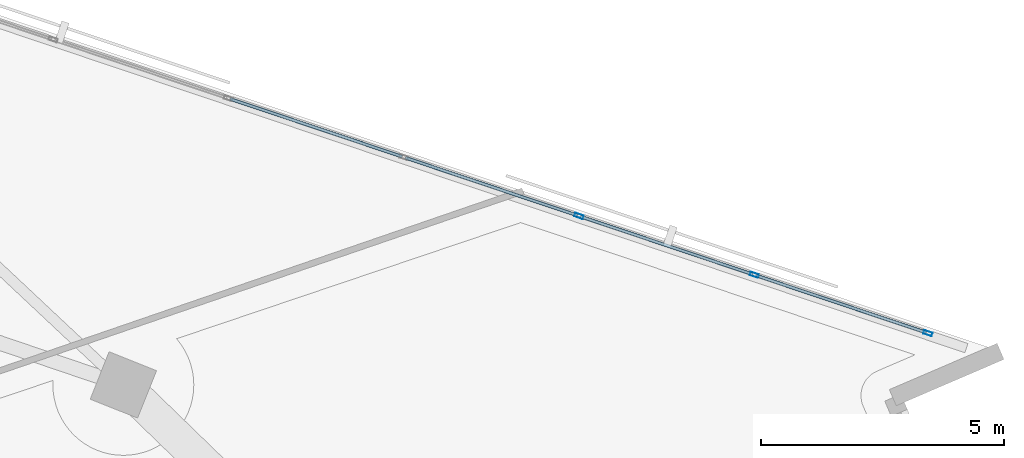
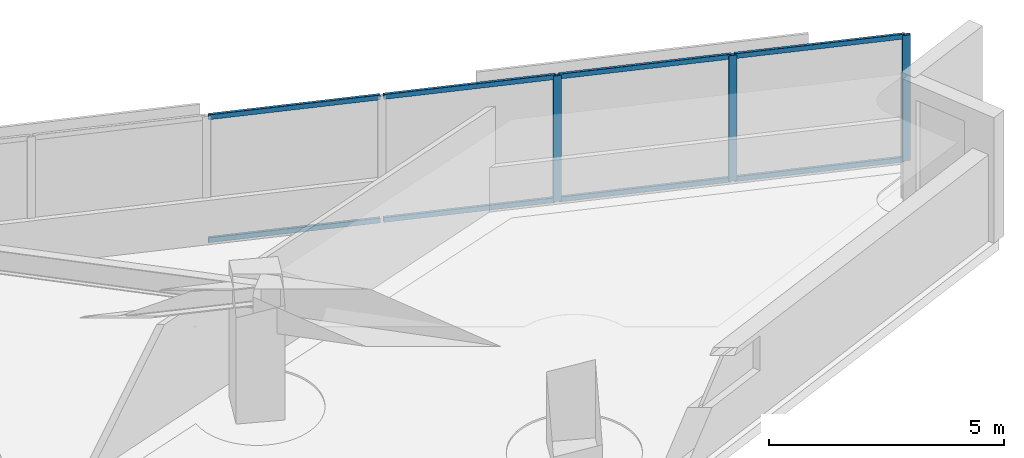
# One storey, part 5 of 15: 11 members, 1 element without a shape of its own.
"""IFC4 building model written with IfcOpenShell, lengths in metres."""

from ifc_helpers import new_model, si_unit, direction, frame, origin, origin_2d, place, context, subcontext, project, spatial, hollow_rectangle, extrude, material, material_profile, profile_set, type_object, element, aggregate, save


model = new_model("IFC4")

# Units and contexts
model_context = context("Model", 3, precision=1e-05, world=origin(), true_north=direction((0.0, 1.0)))
body_context = subcontext(model_context, "Body", "Model", "MODEL_VIEW")
ifc_project = project(units=[si_unit("LENGTHUNIT", "METRE"), si_unit("AREAUNIT", "SQUARE_METRE"), si_unit("VOLUMEUNIT", "CUBIC_METRE"), si_unit("PLANEANGLEUNIT", "RADIAN"), si_unit("MASSUNIT", "GRAM", prefix="KILO")], contexts=[model_context])

# Site, building, storey
site_placement = place(None, origin())
site = spatial("IfcSite", under=ifc_project, at=site_placement, CompositionType="ELEMENT")
building_placement = place(site_placement, origin())
building = spatial("IfcBuilding", under=site, at=building_placement, Name="Narakoshi Arena Tower", CompositionType="ELEMENT")
storey_placement = place(building_placement, frame((0.0, 0.0, 186.139892578125)))
storey = spatial("IfcBuildingStorey", under=building, at=storey_placement, Name="L50", CompositionType="ELEMENT", Elevation=186.139892578125)

# Curtain wall, members
ifc_material = material(Name="Anodised bronze aluminium 6063-T6", Category="aluminium")
curtain_wall_type = type_object("IfcCurtainWallType", Name="CW-HYP-MID", PredefinedType="NOTDEFINED", material=ifc_material)
curtain_wall_placement = place(storey_placement, origin())
curtain_wall = element("IfcCurtainWall", 1, at=curtain_wall_placement, inside=storey, type_object=curtain_wall_type, Name="L50 Folded Hypotenuse Curtain Wall 1-1", PredefinedType="NOTDEFINED")
ifc_material_profile_1 = material_profile(ifc_material, hollow_rectangle(XDim=0.074951171875, YDim=0.179931640625, WallThickness=0.00390625, OuterFilletRadius=0.0048828125, at=origin_2d()), Name="MUL180x75x4")
ifc_profile_set_1 = profile_set([ifc_material_profile_1], Name="Anodised bronze aluminium 6063-T6")
member_type_1 = type_object("IfcMemberType", Name="MEM-MUL-180", PredefinedType="MULLION", material=ifc_profile_set_1)
member_1_placement = place(storey_placement, frame((116.57080078125, 52.6513671875, 0.0), z_axis=(0.0, 0.0, 1.0), x_axis=(-0.318260960253, -0.948003144077, 0.0)))
member_1 = element("IfcMember", 2, at=member_1_placement, type_object=member_type_1, Name="CW-02 mullion 1", PredefinedType="MULLION", context=body_context, shape_type="SweptSolid", body=[
    extrude(hollow_rectangle(XDim=0.074951171875, YDim=0.179931640625, WallThickness=0.00390625, OuterFilletRadius=0.0048828125, at=origin_2d()), origin(), (0.0, 0.0, 1.0), 3.260009765625),
])
member_2_placement = place(storey_placement, frame((112.998779296875, 53.8505859375, 0.0), z_axis=(0.0, 0.0, 1.0), x_axis=(-0.318260960253, -0.948003144077, 0.0)))
member_2 = element("IfcMember", 3, at=member_2_placement, type_object=member_type_1, Name="CW-02 mullion 2", PredefinedType="MULLION", context=body_context, shape_type="SweptSolid", body=[
    extrude(hollow_rectangle(XDim=0.074951171875, YDim=0.179931640625, WallThickness=0.00390625, OuterFilletRadius=0.0048828125, at=origin_2d()), origin(), (0.0, 0.0, 1.0), 3.260009765625),
])
member_3_placement = place(storey_placement, frame((109.39111328125, 55.061767578125, 0.0), z_axis=(0.0, 0.0, 1.0), x_axis=(-0.318260960253, -0.948003144077, 0.0)))
member_3 = element("IfcMember", 4, at=member_3_placement, type_object=member_type_1, Name="CW-02 mullion 3", PredefinedType="MULLION", context=body_context, shape_type="SweptSolid", body=[
    extrude(hollow_rectangle(XDim=0.074951171875, YDim=0.179931640625, WallThickness=0.00390625, OuterFilletRadius=0.0048828125, at=origin_2d()), origin(), (0.0, 0.0, 1.0), 3.260009765625),
])
ifc_material_profile_2 = material_profile(ifc_material, hollow_rectangle(XDim=0.06494140625, YDim=0.1298828125, WallThickness=0.00390625, OuterFilletRadius=0.0048828125, at=origin_2d()), Name="TRN130x65x4")
ifc_profile_set_2 = profile_set([ifc_material_profile_2], Name="Anodised bronze aluminium 6063-T6")
member_type_2 = type_object("IfcMemberType", Name="MEM-TRN-130", PredefinedType="USERDEFINED", material=ifc_profile_set_2)
member_4_placement = place(storey_placement, frame((116.53515625, 52.663330078125, 0.03271484375), z_axis=(-0.948006826737, 0.31824999051, 0.0), x_axis=(-0.31824999051, -0.948006826737, 0.0)))
member_4 = element("IfcMember", 5, at=member_4_placement, type_object=member_type_2, Name="CW-02 transom 1.1", ObjectType="TRANSOM", PredefinedType="USERDEFINED", context=body_context, shape_type="SweptSolid", body=[
    extrude(hollow_rectangle(XDim=0.06494140625, YDim=0.1298828125, WallThickness=0.00390625, OuterFilletRadius=0.0048828125, at=origin_2d()), origin(), (0.0, 0.0, 1.0), 3.69287109375),
])
member_5_placement = place(storey_placement, frame((116.53515625, 52.663330078125, 3.2275390625), z_axis=(-0.948006826737, 0.31824999051, 0.0), x_axis=(-0.31824999051, -0.948006826737, 0.0)))
member_5 = element("IfcMember", 6, at=member_5_placement, type_object=member_type_2, Name="CW-02 transom 1.2", ObjectType="TRANSOM", PredefinedType="USERDEFINED", context=body_context, shape_type="SweptSolid", body=[
    extrude(hollow_rectangle(XDim=0.06494140625, YDim=0.1298828125, WallThickness=0.00390625, OuterFilletRadius=0.0048828125, at=origin_2d()), origin(), (0.0, 0.0, 1.0), 3.69287109375),
])
member_6_placement = place(storey_placement, frame((112.963134765625, 53.862548828125, 0.03271484375), z_axis=(-0.948000451231, 0.318268981314, 0.0), x_axis=(-0.318268981314, -0.948000451231, 0.0)))
member_6 = element("IfcMember", 7, at=member_6_placement, type_object=member_type_2, Name="CW-02 transom 2.1", ObjectType="TRANSOM", PredefinedType="USERDEFINED", context=body_context, shape_type="SweptSolid", body=[
    extrude(hollow_rectangle(XDim=0.06494140625, YDim=0.1298828125, WallThickness=0.00390625, OuterFilletRadius=0.0048828125, at=origin_2d()), origin(), (0.0, 0.0, 1.0), 3.73046875),
])
member_7_placement = place(storey_placement, frame((112.963134765625, 53.862548828125, 3.2275390625), z_axis=(-0.948000451231, 0.318268981314, 0.0), x_axis=(-0.318268981314, -0.948000451231, 0.0)))
member_7 = element("IfcMember", 8, at=member_7_placement, type_object=member_type_2, Name="CW-02 transom 2.2", ObjectType="TRANSOM", PredefinedType="USERDEFINED", context=body_context, shape_type="SweptSolid", body=[
    extrude(hollow_rectangle(XDim=0.06494140625, YDim=0.1298828125, WallThickness=0.00390625, OuterFilletRadius=0.0048828125, at=origin_2d()), origin(), (0.0, 0.0, 1.0), 3.73046875),
])
member_8_placement = place(storey_placement, frame((109.35546875, 55.073486328125, 0.03271484375), z_axis=(-0.948000451231, 0.318268981314, 0.0), x_axis=(-0.318268981314, -0.948000451231, 0.0)))
member_8 = element("IfcMember", 9, at=member_8_placement, type_object=member_type_2, Name="CW-02 transom 3.1", ObjectType="TRANSOM", PredefinedType="USERDEFINED", context=body_context, shape_type="SweptSolid", body=[
    extrude(hollow_rectangle(XDim=0.06494140625, YDim=0.1298828125, WallThickness=0.00390625, OuterFilletRadius=0.0048828125, at=origin_2d()), origin(), (0.0, 0.0, 1.0), 3.73046875),
])
member_9_placement = place(storey_placement, frame((109.35546875, 55.073486328125, 3.2275390625), z_axis=(-0.948000451231, 0.318268981314, 0.0), x_axis=(-0.318268981314, -0.948000451231, 0.0)))
member_9 = element("IfcMember", 10, at=member_9_placement, type_object=member_type_2, Name="CW-02 transom 3.2", ObjectType="TRANSOM", PredefinedType="USERDEFINED", context=body_context, shape_type="SweptSolid", body=[
    extrude(hollow_rectangle(XDim=0.06494140625, YDim=0.1298828125, WallThickness=0.00390625, OuterFilletRadius=0.0048828125, at=origin_2d()), origin(), (0.0, 0.0, 1.0), 3.73046875),
])
member_10_placement = place(storey_placement, frame((105.748046875, 56.28466796875, 0.03271484375), z_axis=(-0.948007080082, 0.318249235844, 0.0), x_axis=(-0.318249235844, -0.948007080082, 0.0)))
member_10 = element("IfcMember", 11, at=member_10_placement, type_object=member_type_2, Name="CW-02 transom 4.1", ObjectType="TRANSOM", PredefinedType="USERDEFINED", context=body_context, shape_type="SweptSolid", body=[
    extrude(hollow_rectangle(XDim=0.06494140625, YDim=0.1298828125, WallThickness=0.00390625, OuterFilletRadius=0.0048828125, at=origin_2d()), origin(), (0.0, 0.0, 1.0), 3.73046875),
])
member_11_placement = place(storey_placement, frame((105.748046875, 56.28466796875, 3.2275390625), z_axis=(-0.948007080082, 0.318249235844, 0.0), x_axis=(-0.318249235844, -0.948007080082, 0.0)))
member_11 = element("IfcMember", 12, at=member_11_placement, type_object=member_type_2, Name="CW-02 transom 4.2", ObjectType="TRANSOM", PredefinedType="USERDEFINED", context=body_context, shape_type="SweptSolid", body=[
    extrude(hollow_rectangle(XDim=0.06494140625, YDim=0.1298828125, WallThickness=0.00390625, OuterFilletRadius=0.0048828125, at=origin_2d()), origin(), (0.0, 0.0, 1.0), 3.73046875),
])
aggregate(curtain_wall, [member_1, member_2, member_3, member_4, member_5, member_6, member_7, member_8, member_9, member_10, member_11])

save(model, "model.ifc")
